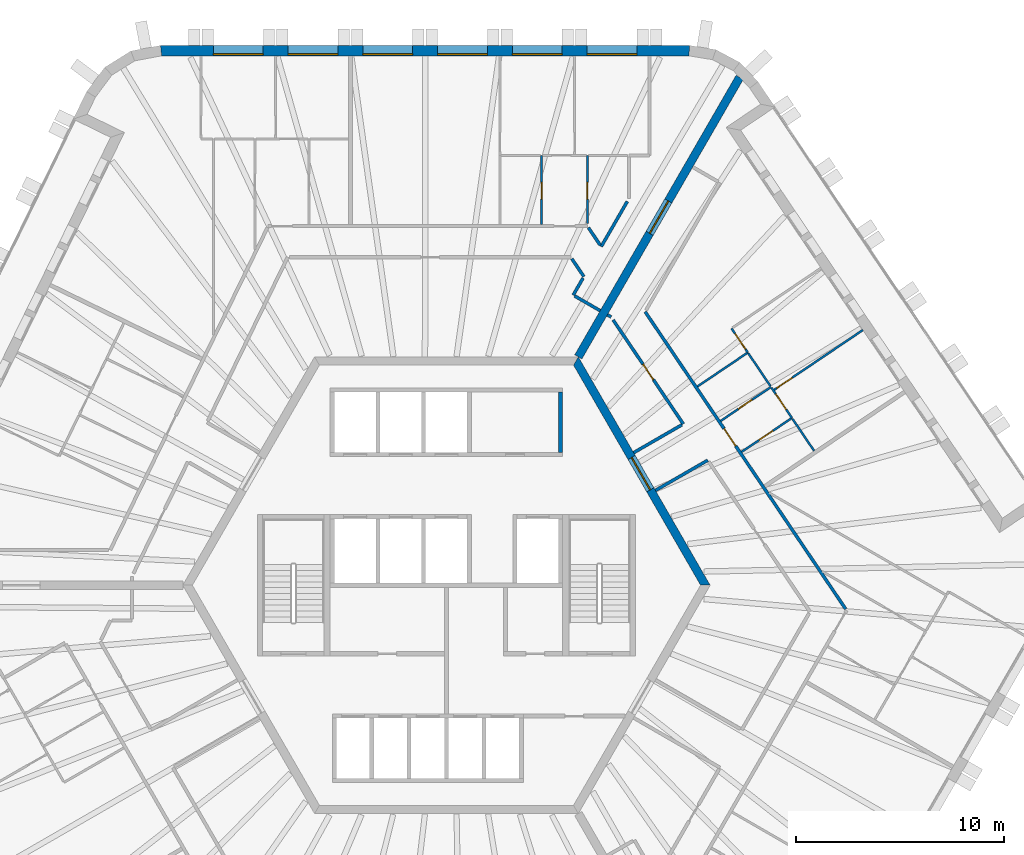
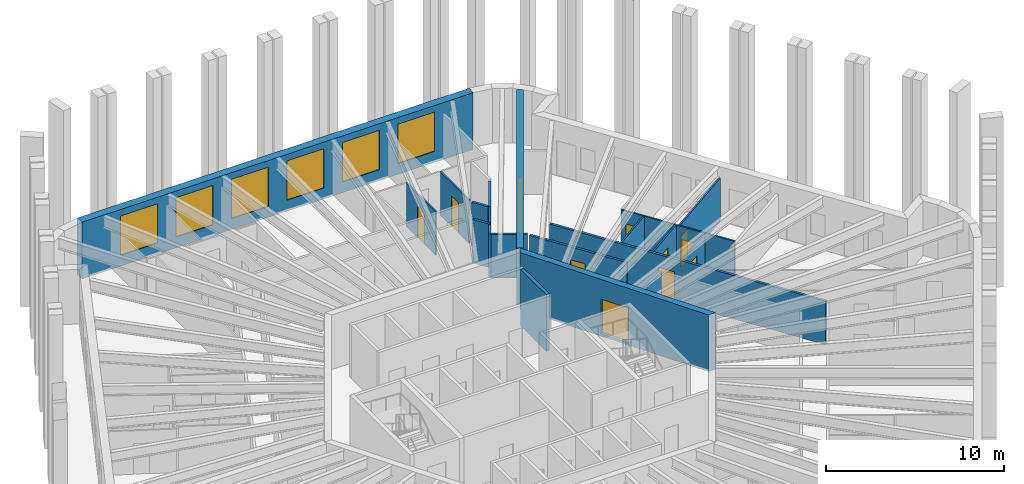
# One storey, part 10 of 13: 24 walls, 11 doors, 6 windows, 17 openings.
"""IFC4 building model written with IfcOpenShell, lengths in metres."""

from ifc_helpers import new_model, si_unit, direction, frame, frame_2d, origin, place, context, subcontext, project, spatial, polyline, rectangle, outline, extrude, material, layer, layer_set, type_object, element, fill, save


model = new_model("IFC4")

# Units and contexts
model_context = context("Model", 3, precision=1e-05, world=origin(), true_north=direction((0.0, 1.0)))
body_context = subcontext(model_context, "Body", "Model", "MODEL_VIEW")
ifc_project = project(units=[si_unit("LENGTHUNIT", "METRE"), si_unit("AREAUNIT", "SQUARE_METRE"), si_unit("VOLUMEUNIT", "CUBIC_METRE"), si_unit("PLANEANGLEUNIT", "RADIAN"), si_unit("MASSUNIT", "GRAM", prefix="KILO")], contexts=[model_context])

# Site, building, storey
site_placement = place(None, origin())
site = spatial("IfcSite", under=ifc_project, at=site_placement, CompositionType="ELEMENT")
building_placement = place(site_placement, origin())
building = spatial("IfcBuilding", under=site, at=building_placement, Name="Tarnside Tower", CompositionType="ELEMENT")
storey_placement = place(building_placement, frame((0.0, 0.0, 279.60009765625)))
storey = spatial("IfcBuildingStorey", under=building, at=storey_placement, Name="L67", CompositionType="ELEMENT", Elevation=279.60009765625)

# Wall, opening, door
ifc_material_1 = material(Name="Gypsum board partition on steel studs", Category="steel")
ifc_layer_1 = layer(ifc_material_1, 0.10009765625)
ifc_layer_set_1 = layer_set([ifc_layer_1], Name="Bathroom wall 100")
wall_type_1 = type_object("IfcWallType", Name="Bathroom wall 100", PredefinedType="PARTITIONING", material=ifc_layer_set_1)
wall_1_placement = place(storey_placement, frame((4.586181640625, 20.699951171875, 0.0), z_axis=(0.0, 0.0, 1.0), x_axis=(0.0, -1.0, 0.0)))
wall_1 = element("IfcWall", 1, at=wall_1_placement, inside=storey, type_object=wall_type_1, Name="Bathroom wall 22088", PredefinedType="PARTITIONING", context=body_context, shape_type="SweptSolid", body=[
    extrude(rectangle(XDim=3.324951171875, YDim=0.10009765625, at=frame_2d((1.66259765625, 0.0))), origin(), (0.0, 0.0, 1.0), 2.98779296875),
])
opening_1_placement = place(wall_1_placement, frame((1.300048828125, 0.0, 0.0)))
opening_1 = element("IfcOpeningElement", 2, at=opening_1_placement, cuts=wall_1, Name="Opening D-B1", PredefinedType="OPENING", context=body_context, shape_type="SweptSolid", body=[
    extrude(rectangle(XDim=0.800048828125, YDim=2.10009765625, at=frame_2d((0.39990234375, 1.050048828125))), frame((0.0, 0.06005859375, 0.0), z_axis=(0.0, -1.0, 0.0), x_axis=(1.0, 0.0, 0.0)), (0.0, 0.0, 1.0), 0.1201171875),
])
ifc_material_2 = material(Name="Timber door leaf", Category="wood")
door_type_1 = type_object("IfcDoorType", Name="Bathroom door 800", OperationType="NOTDEFINED", PredefinedType="DOOR", material=ifc_material_2)
door_1_placement = place(opening_1_placement, origin())
door_1 = element("IfcDoor", 3, at=door_1_placement, inside=storey, type_object=door_type_1, Name="Bathroom door 22002", OperationType="SINGLE_SWING_LEFT", OverallHeight=2.10009765625, OverallWidth=0.800048828125, PredefinedType="DOOR", context=body_context, shape_type="SweptSolid", body=[
    extrude(rectangle(XDim=0.800048828125, YDim=2.10009765625, at=frame_2d((0.39990234375, 1.050048828125))), frame((0.0, 0.02490234375, 0.0), z_axis=(0.0, -1.0, 0.0), x_axis=(1.0, 0.0, 0.0)), (0.0, 0.0, 1.0), 0.050048828125),
])
fill(opening_1, door_1)

wall_2_placement = place(storey_placement, frame((6.7861328125, 17.43408203125, 0.0), z_axis=(0.0, 0.0, 1.0), x_axis=(0.0, 1.0, 0.0)))
wall_2 = element("IfcWall", 4, at=wall_2_placement, inside=storey, type_object=wall_type_1, Name="Bathroom wall 22091", PredefinedType="PARTITIONING", context=body_context, shape_type="SweptSolid", body=[
    extrude(rectangle(XDim=3.265869140625, YDim=0.10009765625, at=frame_2d((1.6328125, 0.0))), origin(), (0.0, 0.0, 1.0), 2.98779296875),
])
opening_2_placement = place(wall_2_placement, frame((1.165771484375, 0.0, 0.0)))
opening_2 = element("IfcOpeningElement", 5, at=opening_2_placement, cuts=wall_2, Name="Opening D-B1", PredefinedType="OPENING", context=body_context, shape_type="SweptSolid", body=[
    extrude(rectangle(XDim=0.800048828125, YDim=2.10009765625, at=frame_2d((0.39990234375, 1.050048828125))), frame((0.0, 0.06005859375, 0.0), z_axis=(0.0, -1.0, 0.0), x_axis=(1.0, 0.0, 0.0)), (0.0, 0.0, 1.0), 0.1201171875),
])
door_2_placement = place(opening_2_placement, origin())
door_2 = element("IfcDoor", 6, at=door_2_placement, inside=storey, type_object=door_type_1, Name="Bathroom door 22011", OperationType="SINGLE_SWING_RIGHT", OverallHeight=2.10009765625, OverallWidth=0.800048828125, PredefinedType="DOOR", context=body_context, shape_type="SweptSolid", body=[
    extrude(rectangle(XDim=0.800048828125, YDim=2.10009765625, at=frame_2d((0.39990234375, 1.050048828125))), frame((0.0, 0.02490234375, 0.0), z_axis=(0.0, -1.0, 0.0), x_axis=(1.0, 0.0, 0.0)), (0.0, 0.0, 1.0), 0.050048828125),
])
fill(opening_2, door_2)

# Wall
wall_3_placement = place(storey_placement, frame((12.08935546875, 9.572021484375, 0.0), z_axis=(0.0, 0.0, 1.0), x_axis=(0.829046031219, 0.559180362781, 0.0)))
element("IfcWall", 7, at=wall_3_placement, inside=storey, type_object=wall_type_1, Name="Bathroom wall 22169", PredefinedType="PARTITIONING", context=body_context, shape_type="SweptSolid", body=[
    extrude(rectangle(XDim=2.9248046875, YDim=0.10009765625, at=frame_2d((1.46240234375, 0.0))), origin(), (0.0, 0.0, 1.0), 2.98779296875),
])

# Wall, opening, door
wall_4_placement = place(storey_placement, frame((14.214111328125, 6.421630859375, 0.0), z_axis=(0.0, 0.0, 1.0), x_axis=(0.829072128826, 0.559141668278, 0.0)))
wall_4 = element("IfcWall", 8, at=wall_4_placement, inside=storey, type_object=wall_type_1, Name="Bathroom wall 22170", PredefinedType="PARTITIONING", context=body_context, shape_type="SweptSolid", body=[
    extrude(rectangle(XDim=2.925048828125, YDim=0.10009765625, at=frame_2d((1.46240234375, 0.0))), origin(), (0.0, 0.0, 1.0), 2.98779296875),
])
opening_3_placement = place(wall_4_placement, frame((1.02490234375, 0.0, 0.0)))
opening_3 = element("IfcOpeningElement", 9, at=opening_3_placement, cuts=wall_4, Name="Opening D-B1", PredefinedType="OPENING", context=body_context, shape_type="SweptSolid", body=[
    extrude(rectangle(XDim=0.800048828125, YDim=2.10009765625, at=frame_2d((0.39990234375, 1.050048828125))), frame((0.0, 0.06005859375, 0.0), z_axis=(0.0, -1.0, 0.0), x_axis=(1.0, 0.0, 0.0)), (0.0, 0.0, 1.0), 0.1201171875),
])
door_3_placement = place(opening_3_placement, origin())
door_3 = element("IfcDoor", 10, at=door_3_placement, inside=storey, type_object=door_type_1, Name="Bathroom door 22075", OperationType="SINGLE_SWING_RIGHT", OverallHeight=2.10009765625, OverallWidth=0.800048828125, PredefinedType="DOOR", context=body_context, shape_type="SweptSolid", body=[
    extrude(rectangle(XDim=0.800048828125, YDim=2.10009765625, at=frame_2d((0.39990234375, 1.050048828125))), frame((0.0, 0.02490234375, 0.0), z_axis=(0.0, -1.0, 0.0), x_axis=(1.0, 0.0, 0.0)), (0.0, 0.0, 1.0), 0.050048828125),
])
fill(opening_3, door_3)

wall_5_placement = place(storey_placement, frame((15.632568359375, 9.549560546875, 0.0), z_axis=(0.0, 0.0, 1.0), x_axis=(-0.829033436212, -0.559199035802, 0.0)))
wall_5 = element("IfcWall", 11, at=wall_5_placement, inside=storey, type_object=wall_type_1, Name="Bathroom wall 22173", PredefinedType="PARTITIONING", context=body_context, shape_type="SweptSolid", body=[
    extrude(rectangle(XDim=2.925048828125, YDim=0.10009765625, at=frame_2d((1.46240234375, 0.0))), origin(), (0.0, 0.0, 1.0), 2.98779296875),
])
opening_4_placement = place(wall_5_placement, frame((1.10009765625, 0.0, 0.0)))
opening_4 = element("IfcOpeningElement", 12, at=opening_4_placement, cuts=wall_5, Name="Opening D-B1", PredefinedType="OPENING", context=body_context, shape_type="SweptSolid", body=[
    extrude(rectangle(XDim=0.800048828125, YDim=2.10009765625, at=frame_2d((0.39990234375, 1.050048828125))), frame((0.0, 0.06005859375, 0.0), z_axis=(0.0, -1.0, 0.0), x_axis=(1.0, 0.0, 0.0)), (0.0, 0.0, 1.0), 0.1201171875),
])
door_4_placement = place(opening_4_placement, origin())
door_4 = element("IfcDoor", 13, at=door_4_placement, inside=storey, type_object=door_type_1, Name="Bathroom door 22082", OperationType="SINGLE_SWING_LEFT", OverallHeight=2.10009765625, OverallWidth=0.800048828125, PredefinedType="DOOR", context=body_context, shape_type="SweptSolid", body=[
    extrude(rectangle(XDim=0.800048828125, YDim=2.10009765625, at=frame_2d((0.39990234375, 1.050048828125))), frame((0.0, 0.02490234375, 0.0), z_axis=(0.0, -1.0, 0.0), x_axis=(1.0, 0.0, 0.0)), (0.0, 0.0, 1.0), 0.050048828125),
])
fill(opening_4, door_4)

# Walls
wall_6_placement = place(storey_placement, frame((17.707275390625, 6.473876953125, 0.0), z_axis=(0.0, 0.0, 1.0), x_axis=(-0.559261140113, 0.828991542273, 0.0)))
element("IfcWall", 14, at=wall_6_placement, inside=storey, type_object=wall_type_1, Name="Bathroom wall 22174", PredefinedType="PARTITIONING", context=body_context, shape_type="SweptSolid", body=[
    extrude(rectangle(XDim=1.86181640625, YDim=0.10009765625, at=frame_2d((0.930908203125, 0.0))), origin(), (0.0, 0.0, 1.0), 2.98779296875),
])
wall_7_placement = place(storey_placement, frame((14.542236328125, 11.166015625, 0.0), z_axis=(0.0, 0.0, 1.0), x_axis=(0.559170428633, -0.829052731581, 0.0)))
element("IfcWall", 15, at=wall_7_placement, inside=storey, type_object=wall_type_1, Name="Bathroom wall 22176", PredefinedType="PARTITIONING", context=body_context, shape_type="SweptSolid", body=[
    extrude(rectangle(XDim=1.899658203125, YDim=0.10009765625, at=frame_2d((0.94970703125, 0.0))), origin(), (0.0, 0.0, 1.0), 2.98779296875),
])

# Wall, opening, door
ifc_material_3 = material(Name="Concrete C60/75", Category="concrete")
ifc_layer_2 = layer(ifc_material_3, 0.39990234375)
ifc_layer_set_2 = layer_set([ifc_layer_2], Name="Core wall Z3 400 C60/75")
wall_type_2 = type_object("IfcWallType", Name="Core wall Z3 400 C60/75", PredefinedType="SHEAR", material=ifc_layer_set_2)
wall_8_placement = place(storey_placement, frame((12.470703125, 0.0, -0.150146484375), z_axis=(0.0, 0.0, 1.0), x_axis=(-0.499996419489, 0.866027470984, 0.0)))
wall_8 = element("IfcWall", 16, at=wall_8_placement, inside=storey, type_object=wall_type_2, Name="L67 core wall face 6", PredefinedType="SHEAR", context=body_context, shape_type="SweptSolid", body=[
    extrude(outline(polyline([(-0.115478515625, -0.199951171875), (12.586181640625, -0.199951171875), (12.355224609375, 0.199951171875), (0.115478515625, 0.199951171875), (-0.115478515625, -0.199951171875)])), origin(), (0.0, 0.0, 1.0), 3.900146484375),
])
opening_5_placement = place(wall_8_placement, frame((5.306396484375, 0.0, 0.14990234375)))
opening_5 = element("IfcOpeningElement", 17, at=opening_5_placement, cuts=wall_8, Name="Opening CD-LOB", PredefinedType="OPENING", context=body_context, shape_type="SweptSolid", body=[
    extrude(rectangle(XDim=1.800048828125, YDim=2.39990234375, at=frame_2d((0.89990234375, 1.199951171875))), frame((0.0, 0.2099609375, 0.0), z_axis=(0.0, -1.0, 0.0), x_axis=(1.0, 0.0, 0.0)), (0.0, 0.0, 1.0), 0.419921875),
])
ifc_material_4 = material(Name="Steel fire door", Category="steel")
door_type_2 = type_object("IfcDoorType", Name="Lobby double door FD30S 1800x2400", OperationType="NOTDEFINED", PredefinedType="DOOR", material=ifc_material_4)
door_5_placement = place(opening_5_placement, origin())
door_5 = element("IfcDoor", 18, at=door_5_placement, inside=storey, type_object=door_type_2, Name="L67 core door P2", OperationType="DOUBLE_DOOR_SINGLE_SWING", OverallHeight=2.39990234375, OverallWidth=1.800048828125, PredefinedType="DOOR", context=body_context, shape_type="SweptSolid", body=[
    extrude(rectangle(XDim=1.800048828125, YDim=2.39990234375, at=frame_2d((0.89990234375, 1.199951171875))), frame((0.0, 0.02490234375, 0.0), z_axis=(0.0, -1.0, 0.0), x_axis=(1.0, 0.0, 0.0)), (0.0, 0.0, 1.0), 0.050048828125),
])
fill(opening_5, door_5)

wall_9_placement = place(storey_placement, frame((6.350830078125, 11.0, -0.150146484375), z_axis=(0.0, 0.0, 1.0), x_axis=(0.499998894578, 0.866026041999, 0.0)))
wall_9 = element("IfcWall", 19, at=wall_9_placement, inside=storey, type_object=wall_type_2, Name="L67 spine wall 1", PredefinedType="SHEAR", context=body_context, shape_type="SweptSolid", body=[
    extrude(rectangle(XDim=15.54443359375, YDim=0.39990234375, at=frame_2d((7.772216796875, 0.0))), origin(), (0.0, 0.0, 1.0), 3.900146484375),
])
opening_6_placement = place(wall_9_placement, frame((6.872314453125, 0.0, 0.14990234375)))
opening_6 = element("IfcOpeningElement", 20, at=opening_6_placement, cuts=wall_9, Name="Opening CD-SPN", PredefinedType="OPENING", context=body_context, shape_type="SweptSolid", body=[
    extrude(rectangle(XDim=1.800048828125, YDim=2.39990234375, at=frame_2d((0.89990234375, 1.199951171875))), frame((0.0, 0.2099609375, 0.0), z_axis=(0.0, -1.0, 0.0), x_axis=(1.0, 0.0, 0.0)), (0.0, 0.0, 1.0), 0.419921875),
])
door_type_3 = type_object("IfcDoorType", Name="Spine passage double door FD60 1800x2400", OperationType="NOTDEFINED", PredefinedType="DOOR", material=ifc_material_4)
door_6_placement = place(opening_6_placement, origin())
door_6 = element("IfcDoor", 21, at=door_6_placement, inside=storey, type_object=door_type_3, Name="L67 spine passage door 1", OperationType="DOUBLE_DOOR_SINGLE_SWING", OverallHeight=2.39990234375, OverallWidth=1.800048828125, PredefinedType="DOOR", context=body_context, shape_type="SweptSolid", body=[
    extrude(rectangle(XDim=1.800048828125, YDim=2.39990234375, at=frame_2d((0.89990234375, 1.199951171875))), frame((0.0, 0.02490234375, 0.0), z_axis=(0.0, -1.0, 0.0), x_axis=(1.0, 0.0, 0.0)), (0.0, 0.0, 1.0), 0.050048828125),
])
fill(opening_6, door_6)

# Walls
ifc_layer_3 = layer(ifc_material_1, 0.14990234375)
ifc_layer_set_3 = layer_set([ifc_layer_3], Name="Corridor wall 150 EI 60")
wall_type_3 = type_object("IfcWallType", Name="Corridor wall 150 EI 60", PredefinedType="PARTITIONING", material=ifc_layer_set_3)
wall_10_placement = place(storey_placement, frame((8.711181640625, 18.488037109375, 0.0), z_axis=(0.0, 0.0, 1.0), x_axis=(-0.500075402517, -0.865981865744, 0.0)))
element("IfcWall", 22, at=wall_10_placement, inside=storey, type_object=wall_type_3, Name="Corridor wall 22007", PredefinedType="PARTITIONING", context=body_context, shape_type="SweptSolid", body=[
    extrude(rectangle(XDim=2.5146484375, YDim=0.14990234375, at=frame_2d((1.25732421875, 0.0))), origin(), (0.0, 0.0, 1.0), 2.98779296875),
])
wall_11_placement = place(storey_placement, frame((7.406982421875, 16.37939453125, 0.0), z_axis=(0.0, 0.0, 1.0), x_axis=(-0.559111060147, 0.829092770697, 0.0)))
element("IfcWall", 23, at=wall_11_placement, inside=storey, type_object=wall_type_3, Name="Corridor wall 22008", PredefinedType="PARTITIONING", context=body_context, shape_type="SweptSolid", body=[
    extrude(rectangle(XDim=1.02001953125, YDim=0.14990234375, at=frame_2d((0.510009765625, 0.0))), origin(), (0.0, 0.0, 1.0), 2.98779296875),
])
wall_12_placement = place(storey_placement, frame((6.0390625, 15.72509765625, 0.0), z_axis=(0.0, 0.0, 1.0), x_axis=(0.559307154107, -0.828960498073, 0.0)))
element("IfcWall", 24, at=wall_12_placement, inside=storey, type_object=wall_type_3, Name="Corridor wall 22023", PredefinedType="PARTITIONING", context=body_context, shape_type="SweptSolid", body=[
    extrude(rectangle(XDim=1.03759765625, YDim=0.14990234375, at=frame_2d((0.518798828125, 0.0))), origin(), (0.0, 0.0, 1.0), 2.98779296875),
])
wall_13_placement = place(storey_placement, frame((6.57763671875, 14.792724609375, 0.0), z_axis=(0.0, 0.0, 1.0), x_axis=(-0.499998034377, -0.866026538634, 0.0)))
element("IfcWall", 25, at=wall_13_placement, inside=storey, type_object=wall_type_3, Name="Corridor wall 22024", PredefinedType="PARTITIONING", context=body_context, shape_type="SweptSolid", body=[
    extrude(rectangle(XDim=0.94580078125, YDim=0.14990234375, at=frame_2d((0.472900390625, 0.0))), origin(), (0.0, 0.0, 1.0), 2.98779296875),
])
wall_14_placement = place(storey_placement, frame((6.169677734375, 13.936279296875, 0.0), z_axis=(0.0, 0.0, 1.0), x_axis=(0.865988727248, -0.500063520245, 0.0)))
element("IfcWall", 26, at=wall_14_placement, inside=storey, type_object=wall_type_3, Name="Corridor wall 22025", PredefinedType="PARTITIONING", context=body_context, shape_type="SweptSolid", body=[
    extrude(rectangle(XDim=1.425048828125, YDim=0.14990234375, at=frame_2d((0.71240234375, 0.0))), origin(), (0.0, 0.0, 1.0), 2.98779296875),
])

# Wall, opening, door
wall_15_placement = place(storey_placement, frame((19.22802734375, -1.14599609375, 0.0), z_axis=(0.0, 0.0, 1.0), x_axis=(-0.559173750718, 0.829050490928, 0.0)))
wall_15 = element("IfcWall", 27, at=wall_15_placement, inside=storey, type_object=wall_type_3, Name="Corridor wall 22061", PredefinedType="PARTITIONING", context=body_context, shape_type="SweptSolid", body=[
    extrude(rectangle(XDim=17.273193359375, YDim=0.14990234375, at=frame_2d((8.63671875, 0.0))), origin(), (0.0, 0.0, 1.0), 2.98779296875),
])
opening_7_placement = place(wall_15_placement, frame((9.4775390625, 0.0, 0.0)))
opening_7 = element("IfcOpeningElement", 28, at=opening_7_placement, cuts=wall_15, Name="Opening D-E1", PredefinedType="OPENING", context=body_context, shape_type="SweptSolid", body=[
    extrude(rectangle(XDim=1.0, YDim=2.10009765625, at=frame_2d((0.5, 1.050048828125))), frame((0.0, 0.0849609375, 0.0), z_axis=(0.0, -1.0, 0.0), x_axis=(1.0, 0.0, 0.0)), (0.0, 0.0, 1.0), 0.169921875),
])
door_type_4 = type_object("IfcDoorType", Name="Unit entrance door 1000 FD30S", OperationType="NOTDEFINED", PredefinedType="DOOR", material=ifc_material_2)
door_7_placement = place(opening_7_placement, origin())
door_7 = element("IfcDoor", 29, at=door_7_placement, inside=storey, type_object=door_type_4, Name="Unit door 22074", OperationType="SINGLE_SWING_LEFT", OverallHeight=2.10009765625, OverallWidth=1.0, PredefinedType="DOOR", context=body_context, shape_type="SweptSolid", body=[
    extrude(rectangle(XDim=1.0, YDim=2.10009765625, at=frame_2d((0.5, 1.050048828125))), frame((0.0, 0.02490234375, 0.0), z_axis=(0.0, -1.0, 0.0), x_axis=(1.0, 0.0, 0.0)), (0.0, 0.0, 1.0), 0.050048828125),
])
fill(opening_7, door_7)

# Walls
wall_16_placement = place(storey_placement, frame((10.065673828125, 4.565673828125, 0.0), z_axis=(0.0, 0.0, 1.0), x_axis=(0.866034661658, 0.49998396455, 0.0)))
element("IfcWall", 30, at=wall_16_placement, inside=storey, type_object=wall_type_3, Name="Corridor wall 22072", PredefinedType="PARTITIONING", context=body_context, shape_type="SweptSolid", body=[
    extrude(rectangle(XDim=2.9091796875, YDim=0.14990234375, at=frame_2d((1.45458984375, 0.0))), origin(), (0.0, 0.0, 1.0), 2.98779296875),
])
wall_17_placement = place(storey_placement, frame((7.750244140625, 13.023681640625, 0.0), z_axis=(0.0, 0.0, 1.0), x_axis=(0.866088799389, -0.499890179513, 0.0)))
element("IfcWall", 31, at=wall_17_placement, inside=storey, type_object=wall_type_3, Name="Corridor wall 22081", PredefinedType="PARTITIONING", context=body_context, shape_type="SweptSolid", body=[
    extrude(rectangle(XDim=0.2099609375, YDim=0.14990234375, at=frame_2d((0.10498046875, 0.0))), origin(), (0.0, 0.0, 1.0), 2.98779296875),
])

# Wall, opening, door
wall_18_placement = place(storey_placement, frame((8.02783203125, 12.77685546875, 0.0), z_axis=(0.0, 0.0, 1.0), x_axis=(0.559175239609, -0.829049486707, 0.0)))
wall_18 = element("IfcWall", 32, at=wall_18_placement, inside=storey, type_object=wall_type_3, Name="Corridor wall 22082", PredefinedType="PARTITIONING", context=body_context, shape_type="SweptSolid", body=[
    extrude(rectangle(XDim=6.044921875, YDim=0.14990234375, at=frame_2d((3.0224609375, 0.0))), origin(), (0.0, 0.0, 1.0), 2.98779296875),
])
opening_8_placement = place(wall_18_placement, frame((2.572265625, 0.0, 0.0)))
opening_8 = element("IfcOpeningElement", 33, at=opening_8_placement, cuts=wall_18, Name="Opening D-S1", PredefinedType="OPENING", context=body_context, shape_type="SweptSolid", body=[
    extrude(rectangle(XDim=0.89990234375, YDim=2.10009765625, at=frame_2d((0.449951171875, 1.050048828125))), frame((0.0, 0.0849609375, 0.0), z_axis=(0.0, -1.0, 0.0), x_axis=(1.0, 0.0, 0.0)), (0.0, 0.0, 1.0), 0.169921875),
])
door_type_5 = type_object("IfcDoorType", Name="Service room door 900 FD30S", OperationType="NOTDEFINED", PredefinedType="DOOR", material=ifc_material_2)
door_8_placement = place(opening_8_placement, origin())
door_8 = element("IfcDoor", 34, at=door_8_placement, inside=storey, type_object=door_type_5, Name="Service door 22092", OperationType="SINGLE_SWING_RIGHT", OverallHeight=2.10009765625, OverallWidth=0.89990234375, PredefinedType="DOOR", context=body_context, shape_type="SweptSolid", body=[
    extrude(rectangle(XDim=0.89990234375, YDim=2.10009765625, at=frame_2d((0.449951171875, 1.050048828125))), frame((0.0, 0.02490234375, 0.0), z_axis=(0.0, -1.0, 0.0), x_axis=(1.0, 0.0, 0.0)), (0.0, 0.0, 1.0), 0.050048828125),
])
fill(opening_8, door_8)

# Walls
wall_19_placement = place(storey_placement, frame((11.3427734375, 7.727783203125, 0.0), z_axis=(0.0, 0.0, 1.0), x_axis=(-0.866037314867, -0.499979368833, 0.0)))
element("IfcWall", 35, at=wall_19_placement, inside=storey, type_object=wall_type_3, Name="Corridor wall 22083", PredefinedType="PARTITIONING", context=body_context, shape_type="SweptSolid", body=[
    extrude(rectangle(XDim=2.68701171875, YDim=0.14990234375, at=frame_2d((1.343505859375, 0.0))), origin(), (0.0, 0.0, 1.0), 2.98779296875),
])
ifc_material_5 = material(Name="Concrete C40/50", Category="concrete")
ifc_layer_4 = layer(ifc_material_5, 0.199951171875)
ifc_layer_set_4 = layer_set([ifc_layer_4], Name="Lift shaft wall 200 C40/50")
wall_type_4 = type_object("IfcWallType", Name="Lift shaft wall 200 C40/50", PredefinedType="SHEAR", material=ifc_layer_set_4)
wall_20_placement = place(storey_placement, frame((5.5, 6.39990234375, -0.25), z_axis=(0.0, 0.0, 1.0), x_axis=(0.0, 1.0, 0.0)))
element("IfcWall", 36, at=wall_20_placement, inside=storey, type_object=wall_type_4, Name="L67 lift shaft partition R16", PredefinedType="SHEAR", context=body_context, shape_type="SweptSolid", body=[
    extrude(rectangle(XDim=2.900146484375, YDim=0.199951171875, at=frame_2d((1.4501953125, 0.0))), origin(), (0.0, 0.0, 1.0), 3.89990234375),
])

# Wall, opening, door
ifc_layer_5 = layer(ifc_material_1, 0.10009765625)
ifc_layer_set_5 = layer_set([ifc_layer_5], Name="Partition 100")
wall_type_5 = type_object("IfcWallType", Name="Partition 100", PredefinedType="PARTITIONING", material=ifc_layer_set_5)
wall_21_placement = place(storey_placement, frame((14.515380859375, 11.205810546875, 0.0), z_axis=(0.0, 0.0, 1.0), x_axis=(-0.559272477643, 0.828983893542, 0.0)))
wall_21 = element("IfcWall", 37, at=wall_21_placement, inside=storey, type_object=wall_type_5, Name="Partition wall 22167", PredefinedType="PARTITIONING", context=body_context, shape_type="SweptSolid", body=[
    extrude(rectangle(XDim=1.402099609375, YDim=0.10009765625, at=frame_2d((0.701171875, 0.0))), origin(), (0.0, 0.0, 1.0), 2.98779296875),
])
opening_9_placement = place(wall_21_placement, frame((0.199951171875, 0.0, 0.0)))
opening_9 = element("IfcOpeningElement", 38, at=opening_9_placement, cuts=wall_21, Name="Opening D-I1", PredefinedType="OPENING", context=body_context, shape_type="SweptSolid", body=[
    extrude(rectangle(XDim=0.89990234375, YDim=2.10009765625, at=frame_2d((0.449951171875, 1.050048828125))), frame((0.0, 0.06005859375, 0.0), z_axis=(0.0, -1.0, 0.0), x_axis=(1.0, 0.0, 0.0)), (0.0, 0.0, 1.0), 0.1201171875),
])
door_type_6 = type_object("IfcDoorType", Name="Internal door 900", OperationType="NOTDEFINED", PredefinedType="DOOR", material=ifc_material_2)
door_9_placement = place(opening_9_placement, origin())
door_9 = element("IfcDoor", 39, at=door_9_placement, inside=storey, type_object=door_type_6, Name="Internal door 22081", OperationType="SINGLE_SWING_RIGHT", OverallHeight=2.10009765625, OverallWidth=0.89990234375, PredefinedType="DOOR", context=body_context, shape_type="SweptSolid", body=[
    extrude(rectangle(XDim=0.89990234375, YDim=2.10009765625, at=frame_2d((0.449951171875, 1.050048828125))), frame((0.0, 0.02490234375, 0.0), z_axis=(0.0, -1.0, 0.0), x_axis=(1.0, 0.0, 0.0)), (0.0, 0.0, 1.0), 0.050048828125),
])
fill(opening_9, door_9)

wall_22_placement = place(storey_placement, frame((16.64013671875, 8.0556640625, 0.0), z_axis=(0.0, 0.0, 1.0), x_axis=(-0.559157243835, 0.829061624167, 0.0)))
wall_22 = element("IfcWall", 40, at=wall_22_placement, inside=storey, type_object=wall_type_5, Name="Partition wall 22171", PredefinedType="PARTITIONING", context=body_context, shape_type="SweptSolid", body=[
    extrude(rectangle(XDim=1.75390625, YDim=0.10009765625, at=frame_2d((0.876953125, 0.0))), origin(), (0.0, 0.0, 1.0), 2.98779296875),
])
opening_10_placement = place(wall_22_placement, frame((0.501953125, 0.0, 0.0)))
opening_10 = element("IfcOpeningElement", 41, at=opening_10_placement, cuts=wall_22, Name="Opening D-I1", PredefinedType="OPENING", context=body_context, shape_type="SweptSolid", body=[
    extrude(rectangle(XDim=0.89990234375, YDim=2.10009765625, at=frame_2d((0.449951171875, 1.050048828125))), frame((0.0, 0.06005859375, 0.0), z_axis=(0.0, -1.0, 0.0), x_axis=(1.0, 0.0, 0.0)), (0.0, 0.0, 1.0), 0.1201171875),
])
door_10_placement = place(opening_10_placement, origin())
door_10 = element("IfcDoor", 42, at=door_10_placement, inside=storey, type_object=door_type_6, Name="Internal door 22077", OperationType="SINGLE_SWING_RIGHT", OverallHeight=2.10009765625, OverallWidth=0.89990234375, PredefinedType="DOOR", context=body_context, shape_type="SweptSolid", body=[
    extrude(rectangle(XDim=0.89990234375, YDim=2.10009765625, at=frame_2d((0.449951171875, 1.050048828125))), frame((0.0, 0.02490234375, 0.0), z_axis=(0.0, -1.0, 0.0), x_axis=(1.0, 0.0, 0.0)), (0.0, 0.0, 1.0), 0.050048828125),
])
fill(opening_10, door_10)

wall_23_placement = place(storey_placement, frame((20.055419921875, 12.29150390625, 0.0), z_axis=(0.0, 0.0, 1.0), x_axis=(-0.82903328576, -0.559199258853, 0.0)))
wall_23 = element("IfcWall", 43, at=wall_23_placement, inside=storey, type_object=wall_type_5, Name="Partition wall 22175", PredefinedType="PARTITIONING", context=body_context, shape_type="SweptSolid", body=[
    extrude(rectangle(XDim=5.14990234375, YDim=0.10009765625, at=frame_2d((2.574951171875, 0.0))), origin(), (0.0, 0.0, 1.0), 2.98779296875),
])
opening_11_placement = place(wall_23_placement, frame((4.10009765625, 0.0, 0.0)))
opening_11 = element("IfcOpeningElement", 44, at=opening_11_placement, cuts=wall_23, Name="Opening D-I1", PredefinedType="OPENING", context=body_context, shape_type="SweptSolid", body=[
    extrude(rectangle(XDim=0.89990234375, YDim=2.10009765625, at=frame_2d((0.449951171875, 1.050048828125))), frame((0.0, 0.06005859375, 0.0), z_axis=(0.0, -1.0, 0.0), x_axis=(1.0, 0.0, 0.0)), (0.0, 0.0, 1.0), 0.1201171875),
])
door_11_placement = place(opening_11_placement, origin())
door_11 = element("IfcDoor", 45, at=door_11_placement, inside=storey, type_object=door_type_6, Name="Internal door 22080", OperationType="SINGLE_SWING_RIGHT", OverallHeight=2.10009765625, OverallWidth=0.89990234375, PredefinedType="DOOR", context=body_context, shape_type="SweptSolid", body=[
    extrude(rectangle(XDim=0.89990234375, YDim=2.10009765625, at=frame_2d((0.449951171875, 1.050048828125))), frame((0.0, 0.02490234375, 0.0), z_axis=(0.0, -1.0, 0.0), x_axis=(1.0, 0.0, 0.0)), (0.0, 0.0, 1.0), 0.050048828125),
])
fill(opening_11, door_11)

# Wall, openings, windows
ifc_material_6 = material(Name="Facing brick", Category="masonry")
ifc_layer_6 = layer(ifc_material_6, 0.10205078125)
ifc_material_7 = material(Name="Concrete C60/75 precast", Category="concrete")
ifc_layer_7 = layer(ifc_material_7, 0.298095703125)
ifc_material_8 = material(Name="Mineral wool insulation")
ifc_layer_8 = layer(ifc_material_8, 0.10009765625)
ifc_layer_set_6 = layer_set([ifc_layer_6, ifc_layer_7, ifc_layer_8], Name="Tube wall 500 brick faced")
wall_type_6 = type_object("IfcWallType", Name="Tube wall 500 brick faced", PredefinedType="SOLIDWALL", material=ifc_layer_set_6)
wall_24_placement = place(storey_placement, frame((11.697509765625, 25.75, -0.150146484375), z_axis=(0.0, 0.0, 1.0), x_axis=(-1.0, 0.0, 0.0)))
wall_24 = element("IfcWall", 46, at=wall_24_placement, inside=storey, type_object=wall_type_6, Name="Tube wall L67 F1 flush 00", PredefinedType="SOLIDWALL", context=body_context, shape_type="SweptSolid", body=[
    extrude(outline(polyline([(-0.0205078125, -0.25), (25.468017578125, -0.25), (25.421142578125, 0.25), (0.0205078125, 0.25), (-0.0205078125, -0.25)])), origin(), (0.0, 0.0, 1.0), 3.900146484375),
])
opening_12_placement = place(wall_24_placement, frame((2.5224609375, 0.0, 0.75)))
opening_12 = element("IfcOpeningElement", 47, at=opening_12_placement, cuts=wall_24, Name="Opening WR", PredefinedType="OPENING", context=body_context, shape_type="SweptSolid", body=[
    extrude(rectangle(XDim=2.39990234375, YDim=2.699951171875, at=frame_2d((1.199951171875, 1.35009765625))), frame((0.0, 0.260009765625, 0.0), z_axis=(0.0, -1.0, 0.0), x_axis=(1.0, 0.0, 0.0)), (0.0, 0.0, 1.0), 0.52001953125),
])
opening_13_placement = place(wall_24_placement, frame((6.122314453125, 0.0, 0.75)))
opening_13 = element("IfcOpeningElement", 48, at=opening_13_placement, cuts=wall_24, Name="Opening WR", PredefinedType="OPENING", context=body_context, shape_type="SweptSolid", body=[
    extrude(rectangle(XDim=2.39990234375, YDim=2.699951171875, at=frame_2d((1.199951171875, 1.35009765625))), frame((0.0, 0.260009765625, 0.0), z_axis=(0.0, -1.0, 0.0), x_axis=(1.0, 0.0, 0.0)), (0.0, 0.0, 1.0), 0.52001953125),
])
opening_14_placement = place(wall_24_placement, frame((9.722412109375, 0.0, 0.75)))
opening_14 = element("IfcOpeningElement", 49, at=opening_14_placement, cuts=wall_24, Name="Opening WR", PredefinedType="OPENING", context=body_context, shape_type="SweptSolid", body=[
    extrude(rectangle(XDim=2.39990234375, YDim=2.699951171875, at=frame_2d((1.199951171875, 1.35009765625))), frame((0.0, 0.260009765625, 0.0), z_axis=(0.0, -1.0, 0.0), x_axis=(1.0, 0.0, 0.0)), (0.0, 0.0, 1.0), 0.52001953125),
])
opening_15_placement = place(wall_24_placement, frame((13.322509765625, 0.0, 0.75)))
opening_15 = element("IfcOpeningElement", 50, at=opening_15_placement, cuts=wall_24, Name="Opening WR", PredefinedType="OPENING", context=body_context, shape_type="SweptSolid", body=[
    extrude(rectangle(XDim=2.39990234375, YDim=2.699951171875, at=frame_2d((1.199951171875, 1.35009765625))), frame((0.0, 0.260009765625, 0.0), z_axis=(0.0, -1.0, 0.0), x_axis=(1.0, 0.0, 0.0)), (0.0, 0.0, 1.0), 0.52001953125),
])
opening_16_placement = place(wall_24_placement, frame((16.92236328125, 0.0, 0.75)))
opening_16 = element("IfcOpeningElement", 51, at=opening_16_placement, cuts=wall_24, Name="Opening WR", PredefinedType="OPENING", context=body_context, shape_type="SweptSolid", body=[
    extrude(rectangle(XDim=2.39990234375, YDim=2.699951171875, at=frame_2d((1.199951171875, 1.35009765625))), frame((0.0, 0.260009765625, 0.0), z_axis=(0.0, -1.0, 0.0), x_axis=(1.0, 0.0, 0.0)), (0.0, 0.0, 1.0), 0.52001953125),
])
opening_17_placement = place(wall_24_placement, frame((20.5224609375, 0.0, 0.75)))
opening_17 = element("IfcOpeningElement", 52, at=opening_17_placement, cuts=wall_24, Name="Opening WR", PredefinedType="OPENING", context=body_context, shape_type="SweptSolid", body=[
    extrude(rectangle(XDim=2.39990234375, YDim=2.699951171875, at=frame_2d((1.199951171875, 1.35009765625))), frame((0.0, 0.260009765625, 0.0), z_axis=(0.0, -1.0, 0.0), x_axis=(1.0, 0.0, 0.0)), (0.0, 0.0, 1.0), 0.52001953125),
])
ifc_material_9 = material(Name="Aluminium-framed double glazing", Category="aluminium")
window_type = type_object("IfcWindowType", Name="Residence window 2400 x 2700", PartitioningType="DOUBLE_PANEL_VERTICAL", PredefinedType="WINDOW", material=ifc_material_9)
window_1_placement = place(opening_12_placement, frame((0.0, 0.179931640625, 0.0)))
window_1 = element("IfcWindow", 53, at=window_1_placement, inside=storey, type_object=window_type, Name="E.WN.L67.F1.00", OverallHeight=2.699951171875, OverallWidth=2.39990234375, PartitioningType="DOUBLE_PANEL_VERTICAL", PredefinedType="WINDOW", context=body_context, shape_type="SweptSolid", body=[
    extrude(rectangle(XDim=2.39990234375, YDim=2.699951171875, at=frame_2d((1.199951171875, 1.35009765625))), frame((0.0, 0.030029296875, 0.0), z_axis=(0.0, -1.0, 0.0), x_axis=(1.0, 0.0, 0.0)), (0.0, 0.0, 1.0), 0.06005859375),
])
fill(opening_12, window_1)
window_2_placement = place(opening_13_placement, frame((0.0, 0.179931640625, 0.0)))
window_2 = element("IfcWindow", 54, at=window_2_placement, inside=storey, type_object=window_type, Name="E.WN.L67.F1.01", OverallHeight=2.699951171875, OverallWidth=2.39990234375, PartitioningType="DOUBLE_PANEL_VERTICAL", PredefinedType="WINDOW", context=body_context, shape_type="SweptSolid", body=[
    extrude(rectangle(XDim=2.39990234375, YDim=2.699951171875, at=frame_2d((1.199951171875, 1.35009765625))), frame((0.0, 0.030029296875, 0.0), z_axis=(0.0, -1.0, 0.0), x_axis=(1.0, 0.0, 0.0)), (0.0, 0.0, 1.0), 0.06005859375),
])
fill(opening_13, window_2)
window_3_placement = place(opening_14_placement, frame((0.0, 0.179931640625, 0.0)))
window_3 = element("IfcWindow", 55, at=window_3_placement, inside=storey, type_object=window_type, Name="E.WN.L67.F1.02", OverallHeight=2.699951171875, OverallWidth=2.39990234375, PartitioningType="DOUBLE_PANEL_VERTICAL", PredefinedType="WINDOW", context=body_context, shape_type="SweptSolid", body=[
    extrude(rectangle(XDim=2.39990234375, YDim=2.699951171875, at=frame_2d((1.199951171875, 1.35009765625))), frame((0.0, 0.030029296875, 0.0), z_axis=(0.0, -1.0, 0.0), x_axis=(1.0, 0.0, 0.0)), (0.0, 0.0, 1.0), 0.06005859375),
])
fill(opening_14, window_3)
window_4_placement = place(opening_15_placement, frame((0.0, 0.179931640625, 0.0)))
window_4 = element("IfcWindow", 56, at=window_4_placement, inside=storey, type_object=window_type, Name="E.WN.L67.F1.03", OverallHeight=2.699951171875, OverallWidth=2.39990234375, PartitioningType="DOUBLE_PANEL_VERTICAL", PredefinedType="WINDOW", context=body_context, shape_type="SweptSolid", body=[
    extrude(rectangle(XDim=2.39990234375, YDim=2.699951171875, at=frame_2d((1.199951171875, 1.35009765625))), frame((0.0, 0.030029296875, 0.0), z_axis=(0.0, -1.0, 0.0), x_axis=(1.0, 0.0, 0.0)), (0.0, 0.0, 1.0), 0.06005859375),
])
fill(opening_15, window_4)
window_5_placement = place(opening_16_placement, frame((0.0, 0.179931640625, 0.0)))
window_5 = element("IfcWindow", 57, at=window_5_placement, inside=storey, type_object=window_type, Name="E.WN.L67.F1.04", OverallHeight=2.699951171875, OverallWidth=2.39990234375, PartitioningType="DOUBLE_PANEL_VERTICAL", PredefinedType="WINDOW", context=body_context, shape_type="SweptSolid", body=[
    extrude(rectangle(XDim=2.39990234375, YDim=2.699951171875, at=frame_2d((1.199951171875, 1.35009765625))), frame((0.0, 0.030029296875, 0.0), z_axis=(0.0, -1.0, 0.0), x_axis=(1.0, 0.0, 0.0)), (0.0, 0.0, 1.0), 0.06005859375),
])
fill(opening_16, window_5)
window_6_placement = place(opening_17_placement, frame((0.0, 0.179931640625, 0.0)))
window_6 = element("IfcWindow", 58, at=window_6_placement, inside=storey, type_object=window_type, Name="E.WN.L67.F1.05", OverallHeight=2.699951171875, OverallWidth=2.39990234375, PartitioningType="DOUBLE_PANEL_VERTICAL", PredefinedType="WINDOW", context=body_context, shape_type="SweptSolid", body=[
    extrude(rectangle(XDim=2.39990234375, YDim=2.699951171875, at=frame_2d((1.199951171875, 1.35009765625))), frame((0.0, 0.030029296875, 0.0), z_axis=(0.0, -1.0, 0.0), x_axis=(1.0, 0.0, 0.0)), (0.0, 0.0, 1.0), 0.06005859375),
])
fill(opening_17, window_6)

save(model, "model.ifc")
